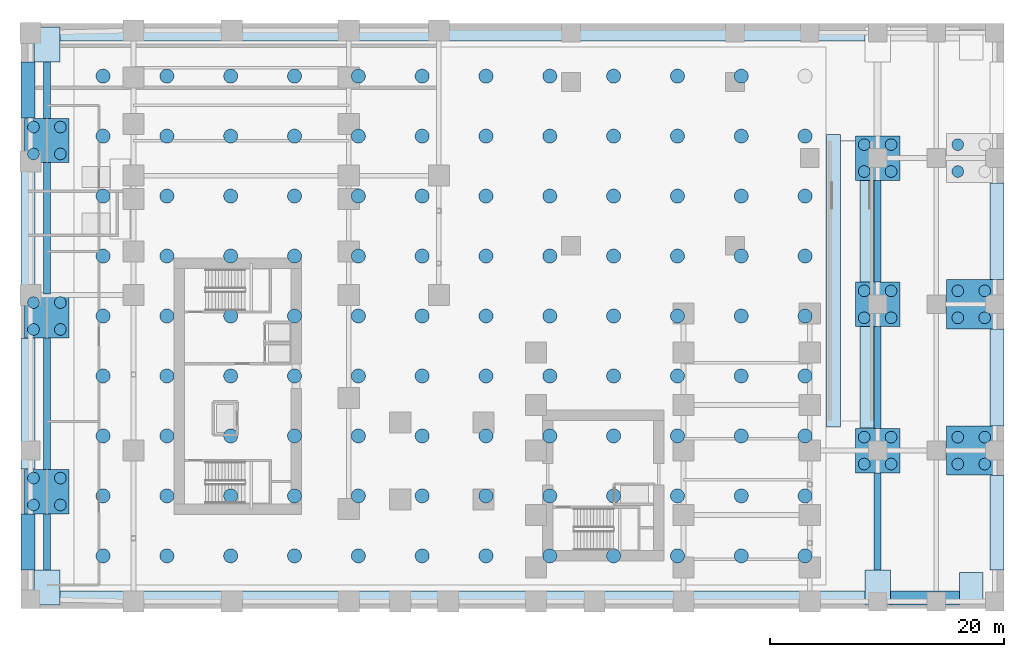
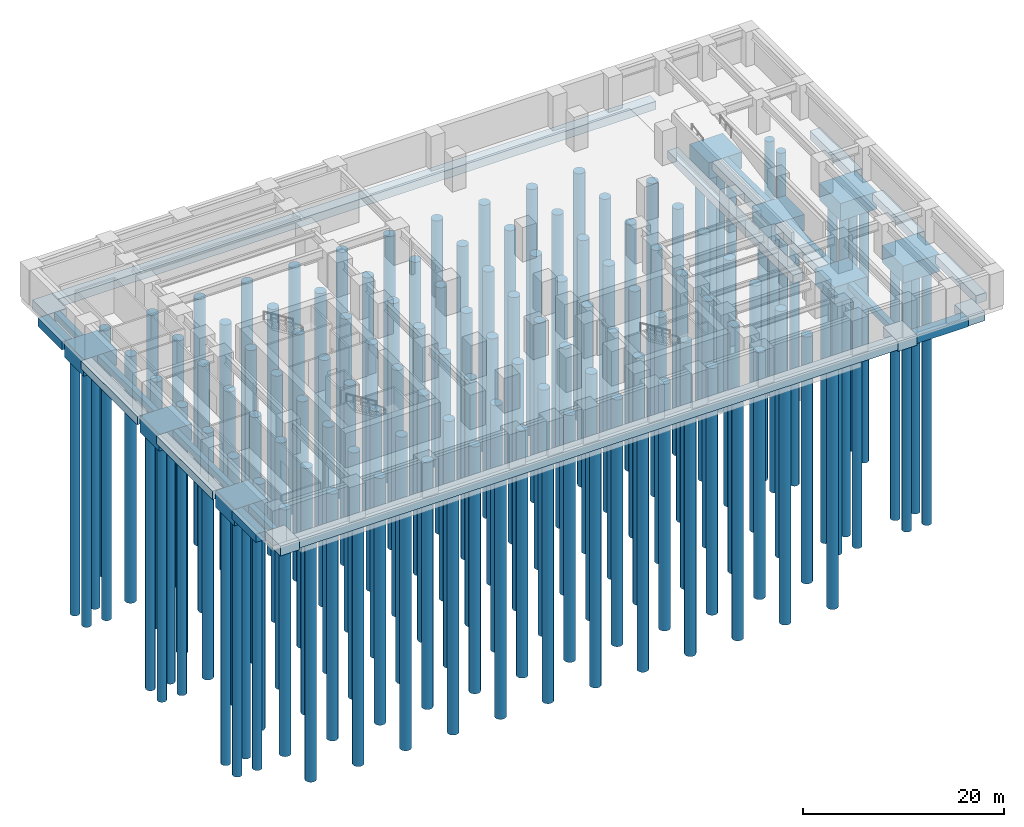
# One storey, part 1 of 15: 141 piles, 32 footings.
"""IFC4 building model written with IfcOpenShell, lengths in metres."""

from ifc_helpers import new_model, si_unit, direction, frame, origin, origin_2d, place, context, subcontext, project, spatial, rectangle, circle, extrude, source, transform, mapped, material, layer, layer_set, material_profile, profile_set, type_object, element, save


model = new_model("IFC4")

# Units and contexts
model_context = context("Model", 3, precision=1e-05, world=origin(), true_north=direction((0.0, 1.0)))
body_context = subcontext(model_context, "Body", "Model", "MODEL_VIEW")
ifc_project = project(units=[si_unit("LENGTHUNIT", "METRE"), si_unit("AREAUNIT", "SQUARE_METRE"), si_unit("VOLUMEUNIT", "CUBIC_METRE"), si_unit("PLANEANGLEUNIT", "RADIAN"), si_unit("MASSUNIT", "GRAM", prefix="KILO")], contexts=[model_context])

# Site, building, storey
site_placement = place(None, origin())
site = spatial("IfcSite", under=ifc_project, at=site_placement, CompositionType="ELEMENT")
building_placement = place(site_placement, origin())
building = spatial("IfcBuilding", under=site, at=building_placement, Name="Kharzan Plaza Tower", CompositionType="ELEMENT")
storey_placement = place(building_placement, frame((0.0, 0.0, -9.0)))
storey = spatial("IfcBuildingStorey", under=building, at=storey_placement, Name="B02", CompositionType="ELEMENT", Elevation=-9.0)

# Footings
ifc_material = material(Name="Concrete C50/60", Category="concrete")
ifc_material_profile_1 = material_profile(ifc_material, rectangle(XDim=0.60009765625, YDim=0.800048828125, at=origin_2d()), Name="GB-600x800")
ifc_profile_set_1 = profile_set([ifc_material_profile_1], Name="Concrete C50/60")
footing_type_1 = type_object("IfcFootingType", Name="FTG-GB1-600x800", PredefinedType="FOOTING_BEAM", material=ifc_profile_set_1)
shared_shape_1 = source(origin(), body_context, "Body", "SweptSolid", [
    extrude(rectangle(XDim=0.60009765625, YDim=0.800048828125, at=origin_2d()), origin(), (0.0, 0.0, 1.0), 4.800048828125),
])
for number, where, z_axis, x_axis, name in (
    (1, (-6.800048828125, 3.300048828125, -1.0), (0.0, 1.0, 0.0), (-1.0, 0.0, 0.0), "B02 Ground Tie Beam GB1-01"),
    (2, (-6.800048828125, 41.89990234375, -1.0), (0.0, 1.0, 0.0), (-1.0, 0.0, 0.0), "B02 Ground Tie Beam GB1-04"),
):
    element("IfcFooting", number, at=place(storey_placement, frame(where, z_axis=z_axis, x_axis=x_axis)), inside=storey, type_object=footing_type_1, Name=name, PredefinedType="FOOTING_BEAM", context=body_context, shape_type="MappedRepresentation", body=[
        mapped(shared_shape_1, transform((0.0, 0.0, 0.0), x_axis=(1.0, 0.0, 0.0), y_axis=(0.0, 1.0, 0.0), z_axis=(0.0, 0.0, 1.0))),
    ])
shared_shape_2 = source(origin(), body_context, "Body", "SweptSolid", [
    extrude(rectangle(XDim=0.60009765625, YDim=0.800048828125, at=origin_2d()), origin(), (0.0, 0.0, 1.0), 11.2001953125),
])
for number, where, z_axis, x_axis, name in (
    (3, (-6.800048828125, 11.89990234375, -1.0), (0.0, 1.0, 0.0), (-1.0, 0.0, 0.0), "B02 Ground Tie Beam GB1-02"),
    (4, (-6.800048828125, 26.89990234375, -1.0), (0.0, 1.0, 0.0), (-1.0, 0.0, 0.0), "B02 Ground Tie Beam GB1-03"),
):
    element("IfcFooting", number, at=place(storey_placement, frame(where, z_axis=z_axis, x_axis=x_axis)), inside=storey, type_object=footing_type_1, Name=name, PredefinedType="FOOTING_BEAM", context=body_context, shape_type="MappedRepresentation", body=[
        mapped(shared_shape_2, transform((0.0, 0.0, 0.0), x_axis=(1.0, 0.0, 0.0), y_axis=(0.0, 1.0, 0.0), z_axis=(0.0, 0.0, 1.0))),
    ])
shared_shape_3 = source(origin(), body_context, "Body", "SweptSolid", [
    extrude(rectangle(XDim=0.60009765625, YDim=0.800048828125, at=origin_2d()), origin(), (0.0, 0.0, 1.0), 8.300048828125),
])
footing_1_placement = place(storey_placement, frame((64.199951171875, 3.300048828125, -1.0), z_axis=(0.0, 1.0, 0.0), x_axis=(-1.0, 0.0, 0.0)))
element("IfcFooting", 5, at=footing_1_placement, inside=storey, type_object=footing_type_1, Name="B02 Ground Tie Beam GB1-05", PredefinedType="FOOTING_BEAM", context=body_context, shape_type="MappedRepresentation", body=[
    mapped(shared_shape_3, transform((0.0, 0.0, 0.0), x_axis=(1.0, 0.0, 0.0), y_axis=(0.0, 1.0, 0.0), z_axis=(0.0, 0.0, 1.0))),
])
shared_shape_4 = source(origin(), body_context, "Body", "SweptSolid", [
    extrude(rectangle(XDim=0.60009765625, YDim=0.800048828125, at=origin_2d()), origin(), (0.0, 0.0, 1.0), 8.7001953125),
])
for number, where, z_axis, x_axis, name in (
    (6, (64.199951171875, 15.39990234375, -1.0), (0.0, 1.0, 0.0), (-1.0, 0.0, 0.0), "B02 Ground Tie Beam GB1-06"),
    (7, (64.199951171875, 27.89990234375, -1.0), (0.0, 1.0, 0.0), (-1.0, 0.0, 0.0), "B02 Ground Tie Beam GB1-07"),
):
    element("IfcFooting", number, at=place(storey_placement, frame(where, z_axis=z_axis, x_axis=x_axis)), inside=storey, type_object=footing_type_1, Name=name, PredefinedType="FOOTING_BEAM", context=body_context, shape_type="MappedRepresentation", body=[
        mapped(shared_shape_4, transform((0.0, 0.0, 0.0), x_axis=(1.0, 0.0, 0.0), y_axis=(0.0, 1.0, 0.0), z_axis=(0.0, 0.0, 1.0))),
    ])
ifc_layer_1 = layer(ifc_material, 2.0)
ifc_layer_set_1 = layer_set([ifc_layer_1], Name="Concrete C50/60")
footing_type_2 = type_object("IfcFootingType", Name="FTG-PC1-3800", PredefinedType="PILE_CAP", material=ifc_layer_set_1)
shared_shape_5 = source(origin(), body_context, "Body", "SweptSolid", [
    extrude(rectangle(XDim=3.800048828125, YDim=3.800048828125, at=origin_2d()), origin(), (0.0, 0.0, 1.0), 2.0),
])
for number, where, z_axis, x_axis, name in (
    (8, (-6.800048828125, 10.0, -2.60009765625), (0.0, 0.0, 1.0), (1.0, 0.0, 0.0), "B02 Four-Pile Cap 01"),
    (9, (-6.800048828125, 25.0, -2.60009765625), (0.0, 0.0, 1.0), (1.0, 0.0, 0.0), "B02 Four-Pile Cap 02"),
    (10, (-6.800048828125, 40.0, -2.60009765625), (0.0, 0.0, 1.0), (1.0, 0.0, 0.0), "B02 Four-Pile Cap 03"),
    (11, (64.199951171875, 13.5, -2.60009765625), (0.0, 0.0, 1.0), (1.0, 0.0, 0.0), "B02 Four-Pile Cap 04"),
    (12, (64.199951171875, 26.0, -2.60009765625), (0.0, 0.0, 1.0), (1.0, 0.0, 0.0), "B02 Four-Pile Cap 05"),
    (13, (64.199951171875, 38.5, -2.60009765625), (0.0, 0.0, 1.0), (1.0, 0.0, 0.0), "B02 Four-Pile Cap 06"),
):
    element("IfcFooting", number, at=place(storey_placement, frame(where, z_axis=z_axis, x_axis=x_axis)), inside=storey, type_object=footing_type_2, Name=name, PredefinedType="PILE_CAP", context=body_context, shape_type="MappedRepresentation", body=[
        mapped(shared_shape_5, transform((0.0, 0.0, 0.0), x_axis=(1.0, 0.0, 0.0), y_axis=(0.0, 1.0, 0.0), z_axis=(0.0, 0.0, 1.0))),
    ])
ifc_layer_2 = layer(ifc_material, 2.10009765625)
ifc_layer_set_2 = layer_set([ifc_layer_2], Name="Concrete C50/60")
footing_type_3 = type_object("IfcFootingType", Name="FTG-PC2-4200", PredefinedType="PILE_CAP", material=ifc_layer_set_2)
shared_shape_6 = source(origin(), body_context, "Body", "SweptSolid", [
    extrude(rectangle(XDim=4.199951171875, YDim=4.199951171875, at=origin_2d()), origin(), (0.0, 0.0, 1.0), 2.10009765625),
])
for number, where, z_axis, x_axis, name in (
    (14, (72.199951171875, 13.5, -2.699951171875), (0.0, 0.0, 1.0), (1.0, 0.0, 0.0), "B02 Four-Pile Cap 07"),
    (15, (72.199951171875, 26.0, -2.699951171875), (0.0, 0.0, 1.0), (1.0, 0.0, 0.0), "B02 Four-Pile Cap 08"),
):
    element("IfcFooting", number, at=place(storey_placement, frame(where, z_axis=z_axis, x_axis=x_axis)), inside=storey, type_object=footing_type_3, Name=name, PredefinedType="PILE_CAP", context=body_context, shape_type="MappedRepresentation", body=[
        mapped(shared_shape_6, transform((0.0, 0.0, 0.0), x_axis=(1.0, 0.0, 0.0), y_axis=(0.0, 1.0, 0.0), z_axis=(0.0, 0.0, 1.0))),
    ])
ifc_layer_3 = layer(ifc_material, 1.199951171875)
ifc_layer_set_3 = layer_set([ifc_layer_3], Name="Concrete C50/60")
footing_type_4 = type_object("IfcFootingType", Name="FTG-PF1-3000x2200", PredefinedType="PAD_FOOTING", material=ifc_layer_set_3)
shared_shape_7 = source(origin(), body_context, "Body", "SweptSolid", [
    extrude(rectangle(XDim=3.0, YDim=2.199951171875, at=origin_2d()), origin(), (0.0, 0.0, 1.0), 1.199951171875),
])
for number, where, z_axis, x_axis, name in (
    (16, (-6.800048828125, 1.800048828125, -1.7998046875), (0.0, 0.0, 1.0), (0.0, 1.0, 0.0), "B02 Pad Footing 01"),
    (17, (-6.800048828125, 48.199951171875, -1.7998046875), (0.0, 0.0, 1.0), (0.0, 1.0, 0.0), "B02 Pad Footing 02"),
    (18, (64.199951171875, 1.800048828125, -1.7998046875), (0.0, 0.0, 1.0), (0.0, 1.0, 0.0), "B02 Pad Footing 03"),
):
    element("IfcFooting", number, at=place(storey_placement, frame(where, z_axis=z_axis, x_axis=x_axis)), inside=storey, type_object=footing_type_4, Name=name, PredefinedType="PAD_FOOTING", context=body_context, shape_type="MappedRepresentation", body=[
        mapped(shared_shape_7, transform((0.0, 0.0, 0.0), x_axis=(1.0, 0.0, 0.0), y_axis=(0.0, 1.0, 0.0), z_axis=(0.0, 0.0, 1.0))),
    ])
ifc_layer_4 = layer(ifc_material, 1.10009765625)
ifc_layer_set_4 = layer_set([ifc_layer_4], Name="Concrete C50/60")
footing_type_5 = type_object("IfcFootingType", Name="FTG-PF2-2600x2000", PredefinedType="PAD_FOOTING", material=ifc_layer_set_4)
shared_shape_8 = source(origin(), body_context, "Body", "SweptSolid", [
    extrude(rectangle(XDim=2.60009765625, YDim=2.0, at=origin_2d()), origin(), (0.0, 0.0, 1.0), 1.10009765625),
])
footing_2_placement = place(storey_placement, frame((72.199951171875, 1.800048828125, -1.699951171875), z_axis=(0.0, 0.0, 1.0), x_axis=(0.0, 1.0, 0.0)))
element("IfcFooting", 19, at=footing_2_placement, inside=storey, type_object=footing_type_5, Name="B02 Pad Footing 05", PredefinedType="PAD_FOOTING", context=body_context, shape_type="MappedRepresentation", body=[
    mapped(shared_shape_8, transform((0.0, 0.0, 0.0), x_axis=(1.0, 0.0, 0.0), y_axis=(0.0, 1.0, 0.0), z_axis=(0.0, 0.0, 1.0))),
])
ifc_material_profile_2 = material_profile(ifc_material, rectangle(XDim=1.199951171875, YDim=1.0, at=origin_2d()), Name="SF-1200x1000")
ifc_profile_set_2 = profile_set([ifc_material_profile_2], Name="Concrete C50/60")
footing_type_6 = type_object("IfcFootingType", Name="FTG-SF1-1200x1000", PredefinedType="STRIP_FOOTING", material=ifc_profile_set_2)
shared_shape_9 = source(origin(), body_context, "Body", "SweptSolid", [
    extrude(rectangle(XDim=1.199951171875, YDim=1.0, at=origin_2d()), origin(), (0.0, 0.0, 1.0), 68.800048828125),
])
for number, where, z_axis, x_axis, name in (
    (20, (-5.699951171875, 0.89990234375, -1.10009765625), (1.0, 0.0, 0.0), (0.0, 1.0, 0.0), "B02 Perimeter Strip Footing SF1-01"),
    (21, (-5.699951171875, 49.10009765625, -1.10009765625), (1.0, 0.0, 0.0), (0.0, 1.0, 0.0), "B02 Perimeter Strip Footing SF1-03"),
):
    element("IfcFooting", number, at=place(storey_placement, frame(where, z_axis=z_axis, x_axis=x_axis)), inside=storey, type_object=footing_type_6, Name=name, PredefinedType="STRIP_FOOTING", context=body_context, shape_type="MappedRepresentation", body=[
        mapped(shared_shape_9, transform((0.0, 0.0, 0.0), x_axis=(1.0, 0.0, 0.0), y_axis=(0.0, 1.0, 0.0), z_axis=(0.0, 0.0, 1.0))),
    ])
shared_shape_10 = source(origin(), body_context, "Body", "SweptSolid", [
    extrude(rectangle(XDim=1.199951171875, YDim=1.0, at=origin_2d()), origin(), (0.0, 0.0, 1.0), 5.89990234375),
])
footing_3_placement = place(storey_placement, frame((65.300048828125, 0.89990234375, -1.10009765625), z_axis=(1.0, 0.0, 0.0), x_axis=(0.0, 1.0, 0.0)))
element("IfcFooting", 22, at=footing_3_placement, inside=storey, type_object=footing_type_6, Name="B02 Perimeter Strip Footing SF1-02", PredefinedType="STRIP_FOOTING", context=body_context, shape_type="MappedRepresentation", body=[
    mapped(shared_shape_10, transform((0.0, 0.0, 0.0), x_axis=(1.0, 0.0, 0.0), y_axis=(0.0, 1.0, 0.0), z_axis=(0.0, 0.0, 1.0))),
])
shared_shape_11 = source(origin(), body_context, "Body", "SweptSolid", [
    extrude(rectangle(XDim=1.199951171875, YDim=1.0, at=origin_2d()), origin(), (0.0, 0.0, 1.0), 4.780029296875),
])
for number, where, z_axis, x_axis, name in (
    (23, (-8.39990234375, 3.31005859375, -1.10009765625), (0.0, 1.0, 0.0), (-1.0, 0.0, 0.0), "B02 Perimeter Strip Footing SF1-05"),
    (24, (-8.39990234375, 41.909912109375, -1.10009765625), (0.0, 1.0, 0.0), (-1.0, 0.0, 0.0), "B02 Perimeter Strip Footing SF1-08"),
):
    element("IfcFooting", number, at=place(storey_placement, frame(where, z_axis=z_axis, x_axis=x_axis)), inside=storey, type_object=footing_type_6, Name=name, PredefinedType="STRIP_FOOTING", context=body_context, shape_type="MappedRepresentation", body=[
        mapped(shared_shape_11, transform((0.0, 0.0, 0.0), x_axis=(1.0, 0.0, 0.0), y_axis=(0.0, 1.0, 0.0), z_axis=(0.0, 0.0, 1.0))),
    ])
shared_shape_12 = source(origin(), body_context, "Body", "SweptSolid", [
    extrude(rectangle(XDim=1.199951171875, YDim=1.0, at=origin_2d()), origin(), (0.0, 0.0, 1.0), 11.18017578125),
])
for number, where, z_axis, x_axis, name in (
    (25, (-8.39990234375, 11.909912109375, -1.10009765625), (0.0, 1.0, 0.0), (-1.0, 0.0, 0.0), "B02 Perimeter Strip Footing SF1-06"),
    (26, (-8.39990234375, 26.909912109375, -1.10009765625), (0.0, 1.0, 0.0), (-1.0, 0.0, 0.0), "B02 Perimeter Strip Footing SF1-07"),
):
    element("IfcFooting", number, at=place(storey_placement, frame(where, z_axis=z_axis, x_axis=x_axis)), inside=storey, type_object=footing_type_6, Name=name, PredefinedType="STRIP_FOOTING", context=body_context, shape_type="MappedRepresentation", body=[
        mapped(shared_shape_12, transform((0.0, 0.0, 0.0), x_axis=(1.0, 0.0, 0.0), y_axis=(0.0, 1.0, 0.0), z_axis=(0.0, 0.0, 1.0))),
    ])
shared_shape_13 = source(origin(), body_context, "Body", "SweptSolid", [
    extrude(rectangle(XDim=1.199951171875, YDim=1.0, at=origin_2d()), origin(), (0.0, 0.0, 1.0), 8.08984375),
])
footing_4_placement = place(storey_placement, frame((74.39990234375, 3.300048828125, -1.10009765625), z_axis=(0.0, 1.0, 0.0), x_axis=(-1.0, 0.0, 0.0)))
element("IfcFooting", 27, at=footing_4_placement, inside=storey, type_object=footing_type_6, Name="B02 Perimeter Strip Footing SF1-09", PredefinedType="STRIP_FOOTING", context=body_context, shape_type="MappedRepresentation", body=[
    mapped(shared_shape_13, transform((0.0, 0.0, 0.0), x_axis=(1.0, 0.0, 0.0), y_axis=(0.0, 1.0, 0.0), z_axis=(0.0, 0.0, 1.0))),
])
shared_shape_14 = source(origin(), body_context, "Body", "SweptSolid", [
    extrude(rectangle(XDim=1.199951171875, YDim=1.0, at=origin_2d()), origin(), (0.0, 0.0, 1.0), 8.27978515625),
])
for number, where, z_axis, x_axis, name in (
    (28, (74.39990234375, 15.610107421875, -1.10009765625), (0.0, 1.0, 0.0), (-1.0, 0.0, 0.0), "B02 Perimeter Strip Footing SF1-10"),
    (29, (74.39990234375, 28.110107421875, -1.10009765625), (0.0, 1.0, 0.0), (-1.0, 0.0, 0.0), "B02 Perimeter Strip Footing SF1-11"),
):
    element("IfcFooting", number, at=place(storey_placement, frame(where, z_axis=z_axis, x_axis=x_axis)), inside=storey, type_object=footing_type_6, Name=name, PredefinedType="STRIP_FOOTING", context=body_context, shape_type="MappedRepresentation", body=[
        mapped(shared_shape_14, transform((0.0, 0.0, 0.0), x_axis=(1.0, 0.0, 0.0), y_axis=(0.0, 1.0, 0.0), z_axis=(0.0, 0.0, 1.0))),
    ])
shared_shape_15 = source(origin(), body_context, "Body", "SweptSolid", [
    extrude(rectangle(XDim=1.199951171875, YDim=1.0, at=origin_2d()), origin(), (0.0, 0.0, 1.0), 25.0),
])
footing_5_placement = place(storey_placement, frame((60.409912109375, 15.5, -1.10009765625), z_axis=(0.0, 1.0, 0.0), x_axis=(-1.0, 0.0, 0.0)))
element("IfcFooting", 30, at=footing_5_placement, inside=storey, type_object=footing_type_6, Name="B02 Perimeter Strip Footing SF1-13", PredefinedType="STRIP_FOOTING", context=body_context, shape_type="MappedRepresentation", body=[
    mapped(shared_shape_15, transform((0.0, 0.0, 0.0), x_axis=(1.0, 0.0, 0.0), y_axis=(0.0, 1.0, 0.0), z_axis=(0.0, 0.0, 1.0))),
])
shared_shape_16 = source(origin(), body_context, "Body", "SweptSolid", [
    extrude(rectangle(XDim=1.199951171875, YDim=1.0, at=origin_2d()), origin(), (0.0, 0.0, 1.0), 8.68017578125),
])
for number, where, z_axis, x_axis, name in (
    (31, (63.2900390625, 15.409912109375, -1.10009765625), (0.0, 1.0, 0.0), (-1.0, 0.0, 0.0), "B02 Perimeter Strip Footing SF1-14"),
    (32, (63.2900390625, 27.909912109375, -1.10009765625), (0.0, 1.0, 0.0), (-1.0, 0.0, 0.0), "B02 Perimeter Strip Footing SF1-15"),
):
    element("IfcFooting", number, at=place(storey_placement, frame(where, z_axis=z_axis, x_axis=x_axis)), inside=storey, type_object=footing_type_6, Name=name, PredefinedType="STRIP_FOOTING", context=body_context, shape_type="MappedRepresentation", body=[
        mapped(shared_shape_16, transform((0.0, 0.0, 0.0), x_axis=(1.0, 0.0, 0.0), y_axis=(0.0, 1.0, 0.0), z_axis=(0.0, 0.0, 1.0))),
    ])

# Piles
ifc_material_profile_3 = material_profile(ifc_material, circle(Radius=0.60009765625, at=origin_2d()), Name="PILE-D1200")
ifc_profile_set_3 = profile_set([ifc_material_profile_3], Name="Concrete C50/60")
pile_type_1 = type_object("IfcPileType", Name="PILE-BORED-1200", PredefinedType="BORED", material=ifc_profile_set_3)
shared_shape_17 = source(origin(), body_context, "Body", "SweptSolid", [
    extrude(circle(Radius=0.60009765625, at=origin_2d()), origin(), (0.0, 0.0, 1.0), 30.0),
])
for number, where, z_axis, x_axis, name in (
    (33, (-2.0, 4.5, -3.5), (0.0, 0.0, -1.0), (1.0, 0.0, 0.0), "Bored Pile P1-001"),
    (34, (-2.0, 9.625, -3.5), (0.0, 0.0, -1.0), (1.0, 0.0, 0.0), "Bored Pile P1-002"),
    (35, (-2.0, 14.75, -3.5), (0.0, 0.0, -1.0), (1.0, 0.0, 0.0), "Bored Pile P1-003"),
    (36, (-2.0, 19.875, -3.5), (0.0, 0.0, -1.0), (1.0, 0.0, 0.0), "Bored Pile P1-004"),
    (37, (-2.0, 25.0, -3.5), (0.0, 0.0, -1.0), (1.0, 0.0, 0.0), "Bored Pile P1-005"),
    (38, (-2.0, 30.125, -3.5), (0.0, 0.0, -1.0), (1.0, 0.0, 0.0), "Bored Pile P1-006"),
    (39, (-2.0, 35.25, -3.5), (0.0, 0.0, -1.0), (1.0, 0.0, 0.0), "Bored Pile P1-007"),
    (40, (-2.0, 40.375, -3.5), (0.0, 0.0, -1.0), (1.0, 0.0, 0.0), "Bored Pile P1-008"),
    (41, (-2.0, 45.5, -3.5), (0.0, 0.0, -1.0), (1.0, 0.0, 0.0), "Bored Pile P1-009"),
    (42, (3.455078125, 4.5, -3.5), (0.0, 0.0, -1.0), (1.0, 0.0, 0.0), "Bored Pile P1-010"),
    (43, (3.455078125, 9.625, -3.5), (0.0, 0.0, -1.0), (1.0, 0.0, 0.0), "Bored Pile P1-011"),
    (44, (3.455078125, 14.75, -3.5), (0.0, 0.0, -1.0), (1.0, 0.0, 0.0), "Bored Pile P1-012"),
    (45, (3.455078125, 19.875, -3.5), (0.0, 0.0, -1.0), (1.0, 0.0, 0.0), "Bored Pile P1-013"),
    (46, (3.455078125, 25.0, -3.5), (0.0, 0.0, -1.0), (1.0, 0.0, 0.0), "Bored Pile P1-014"),
    (47, (3.455078125, 30.125, -3.5), (0.0, 0.0, -1.0), (1.0, 0.0, 0.0), "Bored Pile P1-015"),
    (48, (3.455078125, 35.25, -3.5), (0.0, 0.0, -1.0), (1.0, 0.0, 0.0), "Bored Pile P1-016"),
    (49, (3.455078125, 40.375, -3.5), (0.0, 0.0, -1.0), (1.0, 0.0, 0.0), "Bored Pile P1-017"),
    (50, (3.455078125, 45.5, -3.5), (0.0, 0.0, -1.0), (1.0, 0.0, 0.0), "Bored Pile P1-018"),
    (51, (8.908935546875, 4.5, -3.5), (0.0, 0.0, -1.0), (1.0, 0.0, 0.0), "Bored Pile P1-019"),
    (52, (8.908935546875, 9.625, -3.5), (0.0, 0.0, -1.0), (1.0, 0.0, 0.0), "Bored Pile P1-020"),
    (53, (8.908935546875, 14.75, -3.5), (0.0, 0.0, -1.0), (1.0, 0.0, 0.0), "Bored Pile P1-021"),
    (54, (8.908935546875, 19.875, -3.5), (0.0, 0.0, -1.0), (1.0, 0.0, 0.0), "Bored Pile P1-022"),
    (55, (8.908935546875, 25.0, -3.5), (0.0, 0.0, -1.0), (1.0, 0.0, 0.0), "Bored Pile P1-023"),
    (56, (8.908935546875, 30.125, -3.5), (0.0, 0.0, -1.0), (1.0, 0.0, 0.0), "Bored Pile P1-024"),
    (57, (8.908935546875, 35.25, -3.5), (0.0, 0.0, -1.0), (1.0, 0.0, 0.0), "Bored Pile P1-025"),
    (58, (8.908935546875, 40.375, -3.5), (0.0, 0.0, -1.0), (1.0, 0.0, 0.0), "Bored Pile P1-026"),
    (59, (8.908935546875, 45.5, -3.5), (0.0, 0.0, -1.0), (1.0, 0.0, 0.0), "Bored Pile P1-027"),
    (60, (14.364013671875, 4.5, -3.5), (0.0, 0.0, -1.0), (1.0, 0.0, 0.0), "Bored Pile P1-028"),
    (61, (14.364013671875, 9.625, -3.5), (0.0, 0.0, -1.0), (1.0, 0.0, 0.0), "Bored Pile P1-029"),
    (62, (14.364013671875, 14.75, -3.5), (0.0, 0.0, -1.0), (1.0, 0.0, 0.0), "Bored Pile P1-030"),
    (63, (14.364013671875, 19.875, -3.5), (0.0, 0.0, -1.0), (1.0, 0.0, 0.0), "Bored Pile P1-031"),
    (64, (14.364013671875, 25.0, -3.5), (0.0, 0.0, -1.0), (1.0, 0.0, 0.0), "Bored Pile P1-032"),
    (65, (14.364013671875, 30.125, -3.5), (0.0, 0.0, -1.0), (1.0, 0.0, 0.0), "Bored Pile P1-033"),
    (66, (14.364013671875, 35.25, -3.5), (0.0, 0.0, -1.0), (1.0, 0.0, 0.0), "Bored Pile P1-034"),
    (67, (14.364013671875, 40.375, -3.5), (0.0, 0.0, -1.0), (1.0, 0.0, 0.0), "Bored Pile P1-035"),
    (68, (14.364013671875, 45.5, -3.5), (0.0, 0.0, -1.0), (1.0, 0.0, 0.0), "Bored Pile P1-036"),
    (69, (19.818115234375, 4.5, -3.5), (0.0, 0.0, -1.0), (1.0, 0.0, 0.0), "Bored Pile P1-037"),
    (70, (19.818115234375, 9.625, -3.5), (0.0, 0.0, -1.0), (1.0, 0.0, 0.0), "Bored Pile P1-038"),
    (71, (19.818115234375, 14.75, -3.5), (0.0, 0.0, -1.0), (1.0, 0.0, 0.0), "Bored Pile P1-039"),
    (72, (19.818115234375, 19.875, -3.5), (0.0, 0.0, -1.0), (1.0, 0.0, 0.0), "Bored Pile P1-040"),
    (73, (19.818115234375, 25.0, -3.5), (0.0, 0.0, -1.0), (1.0, 0.0, 0.0), "Bored Pile P1-041"),
    (74, (19.818115234375, 30.125, -3.5), (0.0, 0.0, -1.0), (1.0, 0.0, 0.0), "Bored Pile P1-042"),
    (75, (19.818115234375, 35.25, -3.5), (0.0, 0.0, -1.0), (1.0, 0.0, 0.0), "Bored Pile P1-043"),
    (76, (19.818115234375, 40.375, -3.5), (0.0, 0.0, -1.0), (1.0, 0.0, 0.0), "Bored Pile P1-044"),
    (77, (19.818115234375, 45.5, -3.5), (0.0, 0.0, -1.0), (1.0, 0.0, 0.0), "Bored Pile P1-045"),
    (78, (25.27294921875, 4.5, -3.5), (0.0, 0.0, -1.0), (1.0, 0.0, 0.0), "Bored Pile P1-046"),
    (79, (25.27294921875, 9.625, -3.5), (0.0, 0.0, -1.0), (1.0, 0.0, 0.0), "Bored Pile P1-047"),
    (80, (25.27294921875, 14.75, -3.5), (0.0, 0.0, -1.0), (1.0, 0.0, 0.0), "Bored Pile P1-048"),
    (81, (25.27294921875, 19.875, -3.5), (0.0, 0.0, -1.0), (1.0, 0.0, 0.0), "Bored Pile P1-049"),
    (82, (25.27294921875, 25.0, -3.5), (0.0, 0.0, -1.0), (1.0, 0.0, 0.0), "Bored Pile P1-050"),
    (83, (25.27294921875, 30.125, -3.5), (0.0, 0.0, -1.0), (1.0, 0.0, 0.0), "Bored Pile P1-051"),
    (84, (25.27294921875, 35.25, -3.5), (0.0, 0.0, -1.0), (1.0, 0.0, 0.0), "Bored Pile P1-052"),
    (85, (25.27294921875, 40.375, -3.5), (0.0, 0.0, -1.0), (1.0, 0.0, 0.0), "Bored Pile P1-053"),
    (86, (25.27294921875, 45.5, -3.5), (0.0, 0.0, -1.0), (1.0, 0.0, 0.0), "Bored Pile P1-054"),
    (87, (30.72705078125, 4.5, -3.5), (0.0, 0.0, -1.0), (1.0, 0.0, 0.0), "Bored Pile P1-055"),
    (88, (30.72705078125, 9.625, -3.5), (0.0, 0.0, -1.0), (1.0, 0.0, 0.0), "Bored Pile P1-056"),
    (89, (30.72705078125, 14.75, -3.5), (0.0, 0.0, -1.0), (1.0, 0.0, 0.0), "Bored Pile P1-057"),
    (90, (30.72705078125, 19.875, -3.5), (0.0, 0.0, -1.0), (1.0, 0.0, 0.0), "Bored Pile P1-058"),
    (91, (30.72705078125, 25.0, -3.5), (0.0, 0.0, -1.0), (1.0, 0.0, 0.0), "Bored Pile P1-059"),
    (92, (30.72705078125, 30.125, -3.5), (0.0, 0.0, -1.0), (1.0, 0.0, 0.0), "Bored Pile P1-060"),
    (93, (30.72705078125, 35.25, -3.5), (0.0, 0.0, -1.0), (1.0, 0.0, 0.0), "Bored Pile P1-061"),
    (94, (30.72705078125, 40.375, -3.5), (0.0, 0.0, -1.0), (1.0, 0.0, 0.0), "Bored Pile P1-062"),
    (95, (30.72705078125, 45.5, -3.5), (0.0, 0.0, -1.0), (1.0, 0.0, 0.0), "Bored Pile P1-063"),
    (96, (36.181884765625, 4.5, -3.5), (0.0, 0.0, -1.0), (1.0, 0.0, 0.0), "Bored Pile P1-064"),
    (97, (36.181884765625, 9.625, -3.5), (0.0, 0.0, -1.0), (1.0, 0.0, 0.0), "Bored Pile P1-065"),
    (98, (36.181884765625, 14.75, -3.5), (0.0, 0.0, -1.0), (1.0, 0.0, 0.0), "Bored Pile P1-066"),
    (99, (36.181884765625, 19.875, -3.5), (0.0, 0.0, -1.0), (1.0, 0.0, 0.0), "Bored Pile P1-067"),
    (100, (36.181884765625, 25.0, -3.5), (0.0, 0.0, -1.0), (1.0, 0.0, 0.0), "Bored Pile P1-068"),
    (101, (36.181884765625, 30.125, -3.5), (0.0, 0.0, -1.0), (1.0, 0.0, 0.0), "Bored Pile P1-069"),
    (102, (36.181884765625, 35.25, -3.5), (0.0, 0.0, -1.0), (1.0, 0.0, 0.0), "Bored Pile P1-070"),
    (103, (36.181884765625, 40.375, -3.5), (0.0, 0.0, -1.0), (1.0, 0.0, 0.0), "Bored Pile P1-071"),
    (104, (36.181884765625, 45.5, -3.5), (0.0, 0.0, -1.0), (1.0, 0.0, 0.0), "Bored Pile P1-072"),
    (105, (41.635986328125, 4.5, -3.5), (0.0, 0.0, -1.0), (1.0, 0.0, 0.0), "Bored Pile P1-073"),
    (106, (41.635986328125, 9.625, -3.5), (0.0, 0.0, -1.0), (1.0, 0.0, 0.0), "Bored Pile P1-074"),
    (107, (41.635986328125, 14.75, -3.5), (0.0, 0.0, -1.0), (1.0, 0.0, 0.0), "Bored Pile P1-075"),
    (108, (41.635986328125, 19.875, -3.5), (0.0, 0.0, -1.0), (1.0, 0.0, 0.0), "Bored Pile P1-076"),
    (109, (41.635986328125, 25.0, -3.5), (0.0, 0.0, -1.0), (1.0, 0.0, 0.0), "Bored Pile P1-077"),
    (110, (41.635986328125, 30.125, -3.5), (0.0, 0.0, -1.0), (1.0, 0.0, 0.0), "Bored Pile P1-078"),
    (111, (41.635986328125, 35.25, -3.5), (0.0, 0.0, -1.0), (1.0, 0.0, 0.0), "Bored Pile P1-079"),
    (112, (41.635986328125, 40.375, -3.5), (0.0, 0.0, -1.0), (1.0, 0.0, 0.0), "Bored Pile P1-080"),
    (113, (41.635986328125, 45.5, -3.5), (0.0, 0.0, -1.0), (1.0, 0.0, 0.0), "Bored Pile P1-081"),
    (114, (47.091064453125, 4.5, -3.5), (0.0, 0.0, -1.0), (1.0, 0.0, 0.0), "Bored Pile P1-082"),
    (115, (47.091064453125, 9.625, -3.5), (0.0, 0.0, -1.0), (1.0, 0.0, 0.0), "Bored Pile P1-083"),
    (116, (47.091064453125, 14.75, -3.5), (0.0, 0.0, -1.0), (1.0, 0.0, 0.0), "Bored Pile P1-084"),
    (117, (47.091064453125, 19.875, -3.5), (0.0, 0.0, -1.0), (1.0, 0.0, 0.0), "Bored Pile P1-085"),
    (118, (47.091064453125, 25.0, -3.5), (0.0, 0.0, -1.0), (1.0, 0.0, 0.0), "Bored Pile P1-086"),
    (119, (47.091064453125, 30.125, -3.5), (0.0, 0.0, -1.0), (1.0, 0.0, 0.0), "Bored Pile P1-087"),
    (120, (47.091064453125, 35.25, -3.5), (0.0, 0.0, -1.0), (1.0, 0.0, 0.0), "Bored Pile P1-088"),
    (121, (47.091064453125, 40.375, -3.5), (0.0, 0.0, -1.0), (1.0, 0.0, 0.0), "Bored Pile P1-089"),
    (122, (47.091064453125, 45.5, -3.5), (0.0, 0.0, -1.0), (1.0, 0.0, 0.0), "Bored Pile P1-090"),
    (123, (52.544921875, 4.5, -3.5), (0.0, 0.0, -1.0), (1.0, 0.0, 0.0), "Bored Pile P1-091"),
    (124, (52.544921875, 9.625, -3.5), (0.0, 0.0, -1.0), (1.0, 0.0, 0.0), "Bored Pile P1-092"),
    (125, (52.544921875, 14.75, -3.5), (0.0, 0.0, -1.0), (1.0, 0.0, 0.0), "Bored Pile P1-093"),
    (126, (52.544921875, 19.875, -3.5), (0.0, 0.0, -1.0), (1.0, 0.0, 0.0), "Bored Pile P1-094"),
    (127, (52.544921875, 25.0, -3.5), (0.0, 0.0, -1.0), (1.0, 0.0, 0.0), "Bored Pile P1-095"),
    (128, (52.544921875, 30.125, -3.5), (0.0, 0.0, -1.0), (1.0, 0.0, 0.0), "Bored Pile P1-096"),
    (129, (52.544921875, 35.25, -3.5), (0.0, 0.0, -1.0), (1.0, 0.0, 0.0), "Bored Pile P1-097"),
    (130, (52.544921875, 40.375, -3.5), (0.0, 0.0, -1.0), (1.0, 0.0, 0.0), "Bored Pile P1-098"),
    (131, (52.544921875, 45.5, -3.5), (0.0, 0.0, -1.0), (1.0, 0.0, 0.0), "Bored Pile P1-099"),
    (132, (58.0, 4.5, -3.5), (0.0, 0.0, -1.0), (1.0, 0.0, 0.0), "Bored Pile P1-100"),
    (133, (58.0, 9.625, -3.5), (0.0, 0.0, -1.0), (1.0, 0.0, 0.0), "Bored Pile P1-101"),
    (134, (58.0, 14.75, -3.5), (0.0, 0.0, -1.0), (1.0, 0.0, 0.0), "Bored Pile P1-102"),
    (135, (58.0, 19.875, -3.5), (0.0, 0.0, -1.0), (1.0, 0.0, 0.0), "Bored Pile P1-103"),
    (136, (58.0, 25.0, -3.5), (0.0, 0.0, -1.0), (1.0, 0.0, 0.0), "Bored Pile P1-104"),
    (137, (58.0, 30.125, -3.5), (0.0, 0.0, -1.0), (1.0, 0.0, 0.0), "Bored Pile P1-105"),
    (138, (58.0, 35.25, -3.5), (0.0, 0.0, -1.0), (1.0, 0.0, 0.0), "Bored Pile P1-106"),
    (139, (58.0, 40.375, -3.5), (0.0, 0.0, -1.0), (1.0, 0.0, 0.0), "Bored Pile P1-107"),
):
    element("IfcPile", number, at=place(storey_placement, frame(where, z_axis=z_axis, x_axis=x_axis)), inside=storey, type_object=pile_type_1, Name=name, PredefinedType="BORED", context=body_context, shape_type="MappedRepresentation", body=[
        mapped(shared_shape_17, transform((0.0, 0.0, 0.0), x_axis=(1.0, 0.0, 0.0), y_axis=(0.0, 1.0, 0.0), z_axis=(0.0, 0.0, 1.0))),
    ])
ifc_material_profile_4 = material_profile(ifc_material, circle(Radius=0.5, at=origin_2d()), Name="PILE-D1000")
ifc_profile_set_4 = profile_set([ifc_material_profile_4], Name="Concrete C50/60")
pile_type_2 = type_object("IfcPileType", Name="PILE-BORED-1000", PredefinedType="BORED", material=ifc_profile_set_4)
shared_shape_18 = source(origin(), body_context, "Body", "SweptSolid", [
    extrude(circle(Radius=0.5, at=origin_2d()), origin(), (0.0, 0.0, 1.0), 31.0),
])
for number, where, z_axis, x_axis, name in (
    (140, (-7.949951171875, 8.85009765625, -2.5), (0.0, 0.0, -1.0), (1.0, 0.0, 0.0), "Bored Pile P2-001"),
    (141, (-7.949951171875, 11.14990234375, -2.5), (0.0, 0.0, -1.0), (1.0, 0.0, 0.0), "Bored Pile P2-002"),
    (142, (-5.64990234375, 8.85009765625, -2.5), (0.0, 0.0, -1.0), (1.0, 0.0, 0.0), "Bored Pile P2-003"),
    (143, (-5.64990234375, 11.14990234375, -2.5), (0.0, 0.0, -1.0), (1.0, 0.0, 0.0), "Bored Pile P2-004"),
    (144, (-7.949951171875, 23.85009765625, -2.5), (0.0, 0.0, -1.0), (1.0, 0.0, 0.0), "Bored Pile P2-005"),
    (145, (-7.949951171875, 26.14990234375, -2.5), (0.0, 0.0, -1.0), (1.0, 0.0, 0.0), "Bored Pile P2-006"),
    (146, (-5.64990234375, 23.85009765625, -2.5), (0.0, 0.0, -1.0), (1.0, 0.0, 0.0), "Bored Pile P2-007"),
    (147, (-5.64990234375, 26.14990234375, -2.5), (0.0, 0.0, -1.0), (1.0, 0.0, 0.0), "Bored Pile P2-008"),
    (148, (-7.949951171875, 38.85009765625, -2.5), (0.0, 0.0, -1.0), (1.0, 0.0, 0.0), "Bored Pile P2-009"),
    (149, (-7.949951171875, 41.14990234375, -2.5), (0.0, 0.0, -1.0), (1.0, 0.0, 0.0), "Bored Pile P2-010"),
    (150, (-5.64990234375, 38.85009765625, -2.5), (0.0, 0.0, -1.0), (1.0, 0.0, 0.0), "Bored Pile P2-011"),
    (151, (-5.64990234375, 41.14990234375, -2.5), (0.0, 0.0, -1.0), (1.0, 0.0, 0.0), "Bored Pile P2-012"),
    (152, (63.050048828125, 12.35009765625, -2.5), (0.0, 0.0, -1.0), (1.0, 0.0, 0.0), "Bored Pile P2-013"),
    (153, (63.050048828125, 14.64990234375, -2.5), (0.0, 0.0, -1.0), (1.0, 0.0, 0.0), "Bored Pile P2-014"),
    (154, (65.35009765625, 12.35009765625, -2.5), (0.0, 0.0, -1.0), (1.0, 0.0, 0.0), "Bored Pile P2-015"),
    (155, (65.35009765625, 14.64990234375, -2.5), (0.0, 0.0, -1.0), (1.0, 0.0, 0.0), "Bored Pile P2-016"),
    (156, (63.050048828125, 24.85009765625, -2.5), (0.0, 0.0, -1.0), (1.0, 0.0, 0.0), "Bored Pile P2-017"),
    (157, (63.050048828125, 27.14990234375, -2.5), (0.0, 0.0, -1.0), (1.0, 0.0, 0.0), "Bored Pile P2-018"),
    (158, (65.35009765625, 24.85009765625, -2.5), (0.0, 0.0, -1.0), (1.0, 0.0, 0.0), "Bored Pile P2-019"),
    (159, (65.35009765625, 27.14990234375, -2.5), (0.0, 0.0, -1.0), (1.0, 0.0, 0.0), "Bored Pile P2-020"),
    (160, (63.050048828125, 37.35009765625, -2.5), (0.0, 0.0, -1.0), (1.0, 0.0, 0.0), "Bored Pile P2-021"),
    (161, (63.050048828125, 39.64990234375, -2.5), (0.0, 0.0, -1.0), (1.0, 0.0, 0.0), "Bored Pile P2-022"),
    (162, (65.35009765625, 37.35009765625, -2.5), (0.0, 0.0, -1.0), (1.0, 0.0, 0.0), "Bored Pile P2-023"),
    (163, (65.35009765625, 39.64990234375, -2.5), (0.0, 0.0, -1.0), (1.0, 0.0, 0.0), "Bored Pile P2-024"),
):
    element("IfcPile", number, at=place(storey_placement, frame(where, z_axis=z_axis, x_axis=x_axis)), inside=storey, type_object=pile_type_2, Name=name, PredefinedType="BORED", context=body_context, shape_type="MappedRepresentation", body=[
        mapped(shared_shape_18, transform((0.0, 0.0, 0.0), x_axis=(1.0, 0.0, 0.0), y_axis=(0.0, 1.0, 0.0), z_axis=(0.0, 0.0, 1.0))),
    ])
shared_shape_19 = source(origin(), body_context, "Body", "SweptSolid", [
    extrude(circle(Radius=0.5, at=origin_2d()), origin(), (0.0, 0.0, 1.0), 30.89990234375),
])
for number, where, z_axis, x_axis, name in (
    (164, (71.050048828125, 12.35009765625, -2.60009765625), (0.0, 0.0, -1.0), (1.0, 0.0, 0.0), "Bored Pile P2-025"),
    (165, (71.050048828125, 14.64990234375, -2.60009765625), (0.0, 0.0, -1.0), (1.0, 0.0, 0.0), "Bored Pile P2-026"),
    (166, (73.35009765625, 12.35009765625, -2.60009765625), (0.0, 0.0, -1.0), (1.0, 0.0, 0.0), "Bored Pile P2-027"),
    (167, (73.35009765625, 14.64990234375, -2.60009765625), (0.0, 0.0, -1.0), (1.0, 0.0, 0.0), "Bored Pile P2-028"),
    (168, (71.050048828125, 24.85009765625, -2.60009765625), (0.0, 0.0, -1.0), (1.0, 0.0, 0.0), "Bored Pile P2-029"),
    (169, (71.050048828125, 27.14990234375, -2.60009765625), (0.0, 0.0, -1.0), (1.0, 0.0, 0.0), "Bored Pile P2-030"),
    (170, (73.35009765625, 24.85009765625, -2.60009765625), (0.0, 0.0, -1.0), (1.0, 0.0, 0.0), "Bored Pile P2-031"),
    (171, (73.35009765625, 27.14990234375, -2.60009765625), (0.0, 0.0, -1.0), (1.0, 0.0, 0.0), "Bored Pile P2-032"),
    (172, (71.050048828125, 37.35009765625, -2.60009765625), (0.0, 0.0, -1.0), (1.0, 0.0, 0.0), "Bored Pile P2-033"),
    (173, (71.050048828125, 39.64990234375, -2.60009765625), (0.0, 0.0, -1.0), (1.0, 0.0, 0.0), "Bored Pile P2-034"),
):
    element("IfcPile", number, at=place(storey_placement, frame(where, z_axis=z_axis, x_axis=x_axis)), inside=storey, type_object=pile_type_2, Name=name, PredefinedType="BORED", context=body_context, shape_type="MappedRepresentation", body=[
        mapped(shared_shape_19, transform((0.0, 0.0, 0.0), x_axis=(1.0, 0.0, 0.0), y_axis=(0.0, 1.0, 0.0), z_axis=(0.0, 0.0, 1.0))),
    ])

save(model, "model.ifc")
